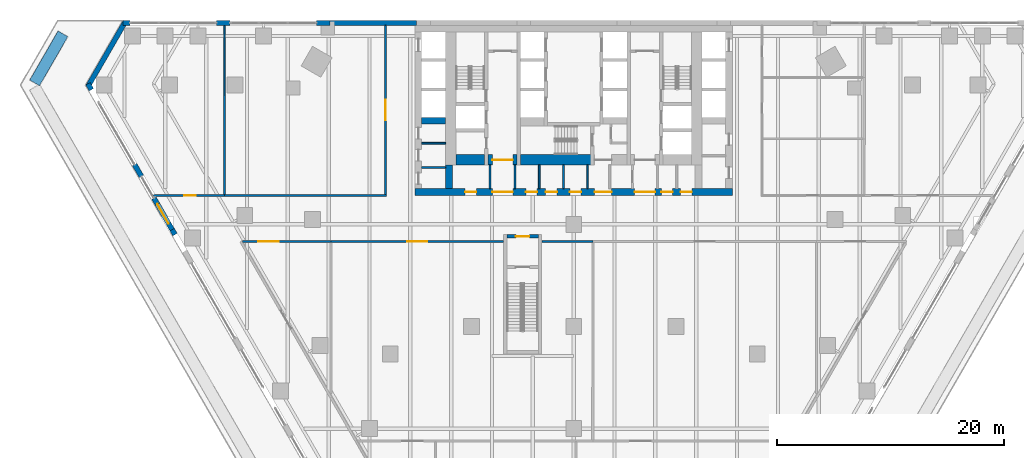
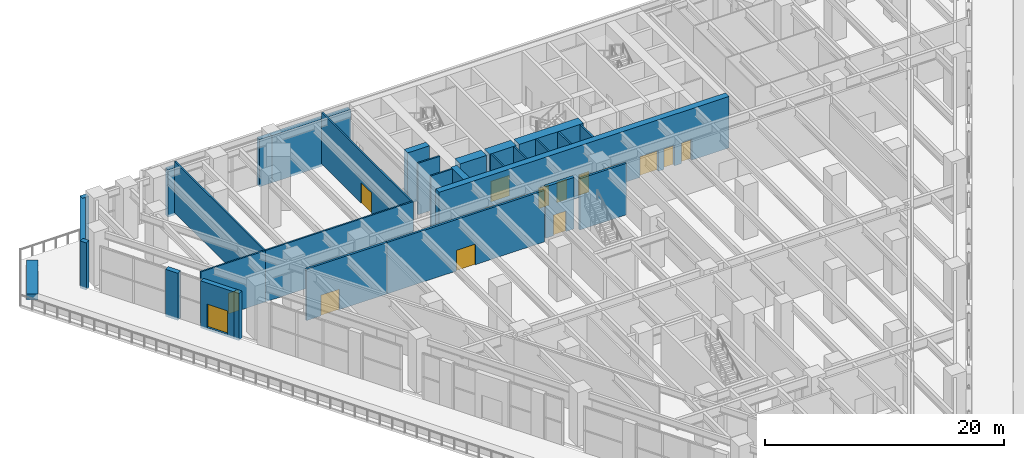
# One storey, part 22 of 30: 31 walls, 16 doors, 16 openings.
"""IFC4 building model written with IfcOpenShell, lengths in metres."""

import ifcopenshell
import ifcopenshell.guid

model = None  # the IFC model being written
_history = None  # IfcOwnerHistory: only IFC2X3 demands one
_inside = {}  # id of a spatial element -> (the spatial element, [elements in it])
_under = {}  # id of a project, library or spatial element -> (it, [spatial elements below it])
_declared = {}  # id of a project -> (the project, [libraries it declares])
_typed = {}  # id of a type object -> (the type object, [elements of that type])
_made_of = {}  # id of a material, layer set ... -> (it, [elements and type objects made of it])


def new_model(schema):
    """Start an empty IFC model of exactly this schema.

    Asked for "IFC4X3", IfcOpenShell would pick the latest addendum, in which some entities
    have other attributes; the version numbers below select the first issue.
    IFC2X3 requires an IfcOwnerHistory on every rooted entity: one is made here for all.
    """
    global model, _history
    if schema == "IFC4X3":
        model = ifcopenshell.file(schema_version=(4, 3, 0, 0))
    else:
        model = ifcopenshell.file(schema=schema)
    _inside.clear()
    _under.clear()
    _declared.clear()
    _typed.clear()
    _made_of.clear()
    _history = None
    if model.schema == "IFC2X3":
        org = make("IfcOrganization", Name="unknown")
        user = make(
            "IfcPersonAndOrganization",
            ThePerson=make("IfcPerson", FamilyName="unknown"),
            TheOrganization=org,
        )
        app = make(
            "IfcApplication",
            ApplicationDeveloper=org,
            Version="unknown",
            ApplicationFullName="unknown",
            ApplicationIdentifier="unknown",
        )
        _history = make(
            "IfcOwnerHistory",
            OwningUser=user,
            OwningApplication=app,
            ChangeAction="ADDED",
            CreationDate=0,
        )
    return model


def make(cls, **values):
    """One entity of the class cls with the attributes given. An attribute that is None is left unset."""
    return model.create_entity(
        cls, **{name: value for name, value in values.items() if value is not None}
    )


def rooted(cls, **values):
    """An entity with a GlobalId (a new one), such as an element, a storey or a relation."""
    return make(cls, GlobalId=ifcopenshell.guid.new(), OwnerHistory=_history, **values)


def si_unit(unit_type, name, prefix=None):
    """IfcSIUnit, for example si_unit("LENGTHUNIT", "METRE", prefix="MILLI")."""
    return make("IfcSIUnit", UnitType=unit_type, Prefix=prefix, Name=name)


def assignment(units):
    """IfcUnitAssignment: the units of a project."""
    return None if units is None else make("IfcUnitAssignment", Units=units)


def point(xyz):
    """IfcCartesianPoint."""
    return None if xyz is None else make("IfcCartesianPoint", Coordinates=xyz)


def direction(xyz):
    """IfcDirection."""
    return None if xyz is None else make("IfcDirection", DirectionRatios=xyz)


def frame(location, z_axis=None, x_axis=None):
    """IfcAxis2Placement3D, a coordinate frame: its origin and axes. An axis left out is left unset."""
    return make(
        "IfcAxis2Placement3D",
        Location=point(location),
        Axis=direction(z_axis),
        RefDirection=direction(x_axis),
    )


def frame_2d(location, x_axis=None):
    """IfcAxis2Placement2D, a coordinate frame in the plane: its origin and x axis."""
    return make(
        "IfcAxis2Placement2D", Location=point(location), RefDirection=direction(x_axis)
    )


def origin():
    """The frame at (0, 0, 0) with its axes left unset."""
    return frame((0.0, 0.0, 0.0))


def place(relative_to, where):
    """IfcLocalPlacement: puts the frame where relative to a parent placement (None: the world)."""
    return make(
        "IfcLocalPlacement", PlacementRelTo=relative_to, RelativePlacement=where
    )


def context(
    kind, dimensions, precision=None, world=None, true_north=None, identifier=None
):
    """IfcGeometricRepresentationContext, for example the 3D "Model" context."""
    return make(
        "IfcGeometricRepresentationContext",
        ContextIdentifier=identifier,
        ContextType=kind,
        CoordinateSpaceDimension=dimensions,
        Precision=precision,
        WorldCoordinateSystem=world,
        TrueNorth=true_north,
    )


def subcontext(parent, identifier, kind, view, scale=None):
    """IfcGeometricRepresentationSubContext, for example "Body" below "Model"."""
    return make(
        "IfcGeometricRepresentationSubContext",
        ContextIdentifier=identifier,
        ContextType=kind,
        ParentContext=parent,
        TargetScale=scale,
        TargetView=view,
    )


def project(units=None, contexts=None):
    """IfcProject with its units and contexts."""
    return rooted(
        "IfcProject",
        Name="project",
        RepresentationContexts=contexts,
        UnitsInContext=assignment(units),
    )


def spatial(cls, under=None, at=None, **own):
    """A site, building, storey or space (cls), placed at a placement, below another one or the project."""
    s = rooted(cls, ObjectPlacement=at, **own)
    if under is not None:
        _under.setdefault(under.id(), (under, []))[1].append(s)
    return s


def polyline(points):
    """IfcPolyline through the points."""
    return make("IfcPolyline", Points=[point(p) for p in points])


def profile(cls, at=None, kind="AREA", **sizes):
    """A parametric profile (cls). Its sizes go by their IFC names, for example OverallWidth=200.0."""
    return make(cls, ProfileType=kind, Position=at, **sizes)


def rectangle(**sizes):
    """IfcRectangleProfileDef."""
    return profile("IfcRectangleProfileDef", **sizes)


def outline(outer, holes=None, kind="AREA"):
    """IfcArbitraryClosedProfileDef: a profile drawn as a closed curve; with holes, ...WithVoids."""
    if holes is None:
        return make("IfcArbitraryClosedProfileDef", ProfileType=kind, OuterCurve=outer)
    return make(
        "IfcArbitraryProfileDefWithVoids",
        ProfileType=kind,
        OuterCurve=outer,
        InnerCurves=holes,
    )


def extrude(swept, where, along, depth):
    """IfcExtrudedAreaSolid: the profile swept, set in the frame where, extruded along a direction by depth."""
    return make(
        "IfcExtrudedAreaSolid",
        SweptArea=swept,
        Position=where,
        ExtrudedDirection=direction(along),
        Depth=depth,
    )


def shape(context_of_items, identifier, shape_type, items):
    """IfcShapeRepresentation: the items that make up one representation, for example the "Body"."""
    return make(
        "IfcShapeRepresentation",
        ContextOfItems=context_of_items,
        RepresentationIdentifier=identifier,
        RepresentationType=shape_type,
        Items=items,
    )


def material(Name=None, Category=None):
    """IfcMaterial."""
    return make("IfcMaterial", Name=Name, Category=Category)


def layer(
    of_material, thickness, ventilated=None, Name=None, Category=None, Priority=None
):
    """IfcMaterialLayer: one layer of a wall or slab, of a material (None: an air gap)."""
    return make(
        "IfcMaterialLayer",
        Material=of_material,
        LayerThickness=thickness,
        IsVentilated=ventilated,
        Name=Name,
        Category=Category,
        Priority=Priority,
    )


def layer_set(layers, Name=None):
    """IfcMaterialLayerSet."""
    return make("IfcMaterialLayerSet", MaterialLayers=layers, LayerSetName=Name)


def made_of(thing, what):
    """Note that an element or type object is made of a material, layer set ...; save() writes the relation."""
    if what is not None:
        _made_of.setdefault(what.id(), (what, []))[1].append(thing)
    return thing


def type_object(cls, material=None, **own):
    """A type object (cls), such as IfcWallType, which elements share."""
    return made_of(rooted(cls, **own), material)


def element(
    cls,
    number,
    at=None,
    inside=None,
    cuts=None,
    type_object=None,
    material=None,
    context=None,
    identifier="Body",
    shape_type=None,
    held_by="IfcProductDefinitionShape",
    body=None,
    shapes=None,
    **own,
):
    """One element of the class cls, such as IfcWall. Its Tag is "e" and its number.

    at: its placement. inside: the storey or other place that contains it. cuts: it is an
    opening in that element (IfcRelVoidsElement). A single representation is given by context,
    identifier, shape_type and body (its items); several are given by shapes. held_by: the class
    of the entity that holds the representations. save() writes the other relations.
    """
    e = rooted(cls, Tag="e%d" % number, ObjectPlacement=at, **own)
    if body is not None:
        shapes = [shape(context, identifier, shape_type, body)]
    if shapes is not None:
        e.Representation = make(held_by, Representations=shapes)
    if inside is not None:
        _inside.setdefault(inside.id(), (inside, []))[1].append(e)
    if cuts is not None:
        rooted(
            "IfcRelVoidsElement", RelatingBuildingElement=cuts, RelatedOpeningElement=e
        )
    if type_object is not None:
        _typed.setdefault(type_object.id(), (type_object, []))[1].append(e)
    return made_of(e, material)


def fill(opening, filler):
    """IfcRelFillsElement: the door or window that sits in an opening."""
    return rooted(
        "IfcRelFillsElement",
        RelatingOpeningElement=opening,
        RelatedBuildingElement=filler,
    )


def aggregate(whole, parts):
    """IfcRelAggregates: a whole, such as a stair, and the parts it consists of."""
    return rooted("IfcRelAggregates", RelatingObject=whole, RelatedObjects=parts)


def save(model, path):
    """Write the relations noted so far, then the file.

    IfcRelAggregates (storeys below a building ...), IfcRelContainedInSpatialStructure (elements
    in a storey), IfcRelDefinesByType, IfcRelAssociatesMaterial and IfcRelDeclares: one each for
    every whole, place, type object, material and project.
    """
    for whole, parts in _under.values():
        aggregate(whole, parts)
    for where, things in _inside.values():
        rooted(
            "IfcRelContainedInSpatialStructure",
            RelatedElements=things,
            RelatingStructure=where,
        )
    for kind, things in _typed.values():
        rooted("IfcRelDefinesByType", RelatedObjects=things, RelatingType=kind)
    for what, things in _made_of.values():
        rooted("IfcRelAssociatesMaterial", RelatedObjects=things, RelatingMaterial=what)
    for by, libraries in _declared.values():
        rooted("IfcRelDeclares", RelatingContext=by, RelatedDefinitions=libraries)
    model.write(path)


model = new_model("IFC4")

# Units and contexts
model_context = context("Model", 3, precision=1e-05, world=origin(), true_north=direction((0.0, 1.0)))
body_context = subcontext(model_context, "Body", "Model", "MODEL_VIEW")
ifc_project = project(units=[si_unit("LENGTHUNIT", "METRE"), si_unit("AREAUNIT", "SQUARE_METRE"), si_unit("VOLUMEUNIT", "CUBIC_METRE"), si_unit("PLANEANGLEUNIT", "RADIAN"), si_unit("MASSUNIT", "GRAM", prefix="KILO")], contexts=[model_context])

# Site, building, storey
site_placement = place(None, origin())
site = spatial("IfcSite", under=ifc_project, at=site_placement, CompositionType="ELEMENT")
building_placement = place(site_placement, origin())
building = spatial("IfcBuilding", under=site, at=building_placement, Name="Aloe Facet Convention Tower", CompositionType="ELEMENT")
storey_placement = place(building_placement, frame((0.0, 0.0, 19.5)))
storey = spatial("IfcBuildingStorey", under=building, at=storey_placement, Name="L03", CompositionType="ELEMENT", Elevation=19.5)

# Walls
ifc_material_1 = material(Name="Concrete blockwork partition", Category="masonry")
ifc_layer_1 = layer(ifc_material_1, 0.14990234375)
ifc_layer_set_1 = layer_set([ifc_layer_1], Name="CR-W-PART150")
wall_type_1 = type_object("IfcWallType", Name="CR-W-PART150", PredefinedType="PARTITIONING", material=ifc_layer_set_1)
for number, where, z_axis, x_axis, name in (
    (1, (66.60009765625, 124.16455078125, 0.0), (0.0, 0.0, 1.0), (1.0, 0.0, 0.0), "Core partition L03-007"),
    (2, (66.60009765625, 122.02490234375, 0.0), (0.0, 0.0, 1.0), (1.0, 0.0, 0.0), "Core partition L03-008"),
):
    element("IfcWall", number, at=place(storey_placement, frame(where, z_axis=z_axis, x_axis=x_axis)), inside=storey, type_object=wall_type_1, Name=name, PredefinedType="PARTITIONING", context=body_context, shape_type="SweptSolid", body=[
        extrude(rectangle(XDim=2.099853515625, YDim=0.14990234375, at=frame_2d((1.0498046875, 0.0))), origin(), (0.0, 0.0, 1.0), 5.25),
    ])
for number, where, z_axis, x_axis, name in (
    (3, (72.625, 122.25, 0.0), (0.0, 0.0, 1.0), (0.0, -1.0, 0.0), "Core partition L03-017"),
    (4, (74.824951171875, 122.25, 0.0), (0.0, 0.0, 1.0), (0.0, -1.0, 0.0), "Core partition L03-018"),
    (5, (76.958251953125, 122.25, 0.0), (0.0, 0.0, 1.0), (0.0, -1.0, 0.0), "Core partition L03-024"),
    (6, (79.091552734375, 122.25, 0.0), (0.0, 0.0, 1.0), (0.0, -1.0, 0.0), "Core partition L03-027"),
    (7, (81.22509765625, 122.25, 0.0), (0.0, 0.0, 1.0), (0.0, -1.0, 0.0), "Core partition L03-028"),
):
    element("IfcWall", number, at=place(storey_placement, frame(where, z_axis=z_axis, x_axis=x_axis)), inside=storey, type_object=wall_type_1, Name=name, PredefinedType="PARTITIONING", context=body_context, shape_type="SweptSolid", body=[
        extrude(rectangle(XDim=2.10009765625, YDim=0.14990234375, at=frame_2d((1.050048828125, 0.0))), origin(), (0.0, 0.0, 1.0), 5.25),
    ])

# Wall, opening, door
ifc_material_2 = material(Name="Concrete C50/60", Category="concrete")
ifc_layer_2 = layer(ifc_material_2, 0.300048828125)
ifc_layer_set_2 = layer_set([ifc_layer_2], Name="CR-W-RC300-C5060")
wall_type_2 = type_object("IfcWallType", Name="CR-W-RC300-C5060", PredefinedType="SOLIDWALL", material=ifc_layer_set_2)
wall_1_placement = place(storey_placement, frame((74.125, 115.949951171875, 0.0), z_axis=(0.0, 0.0, 1.0), x_axis=(1.0, 0.0, 0.0)))
wall_1 = element("IfcWall", 8, at=wall_1_placement, inside=storey, type_object=wall_type_2, Name="Exit stair wall L03-10", PredefinedType="SOLIDWALL", context=body_context, shape_type="SweptSolid", body=[
    extrude(rectangle(XDim=2.75, YDim=0.300048828125, at=frame_2d((1.375, 0.0))), origin(), (0.0, 0.0, 1.0), 5.25),
])
opening_1_placement = place(wall_1_placement, frame((0.77490234375, 0.0, 0.0)))
opening_1 = element("IfcOpeningElement", 9, at=opening_1_placement, cuts=wall_1, Name="Opening L03-ST5-02", PredefinedType="OPENING", context=body_context, shape_type="SweptSolid", body=[
    extrude(rectangle(XDim=1.199951171875, YDim=2.10009765625, at=frame_2d((0.60009765625, 1.050048828125))), frame((0.0, 0.16015625, 0.0), z_axis=(0.0, -1.0, 0.0), x_axis=(1.0, 0.0, 0.0)), (0.0, 0.0, 1.0), 0.320068359375),
])
ifc_material_3 = material(Name="Steel fire-resisting door set FD60", Category="steel")
door_type_1 = type_object("IfcDoorType", Name="CR-D-EXIT-1200-FD60-SRIGHT", OperationType="SINGLE_SWING_RIGHT", PredefinedType="DOOR", material=ifc_material_3)
door_1_placement = place(opening_1_placement, origin())
door_1 = element("IfcDoor", 10, at=door_1_placement, inside=storey, type_object=door_type_1, Name="Stair lobby door L03-ST5-02", OperationType="SINGLE_SWING_RIGHT", OverallHeight=2.10009765625, OverallWidth=1.199951171875, PredefinedType="DOOR", context=body_context, shape_type="SweptSolid", body=[
    extrude(rectangle(XDim=1.199951171875, YDim=2.10009765625, at=frame_2d((0.60009765625, 1.050048828125))), frame((0.0, 0.02490234375, 0.0), z_axis=(0.0, -1.0, 0.0), x_axis=(1.0, 0.0, 0.0)), (0.0, 0.0, 1.0), 0.050048828125),
])
fill(opening_1, door_1)

# Wall, openings, doors
ifc_material_4 = material(Name="Concrete C80/95", Category="concrete")
ifc_layer_3 = layer(ifc_material_4, 0.60009765625)
ifc_layer_set_3 = layer_set([ifc_layer_3], Name="CR-W-RC600-C8095")
wall_type_3 = type_object("IfcWallType", Name="CR-W-RC600-C8095", PredefinedType="SOLIDWALL", material=ifc_layer_set_3)
wall_2_placement = place(storey_placement, frame((66.0, 119.85009765625, 0.0), z_axis=(0.0, 0.0, 1.0), x_axis=(1.0, 0.0, 0.0)))
wall_2 = element("IfcWall", 11, at=wall_2_placement, inside=storey, type_object=wall_type_3, Name="Core wall L03-003", PredefinedType="SOLIDWALL", context=body_context, shape_type="SweptSolid", body=[
    extrude(rectangle(XDim=28.0, YDim=0.60009765625, at=frame_2d((14.0, 0.0))), origin(), (0.0, 0.0, 1.0), 5.25),
])
opening_2_placement = place(wall_2_placement, frame((6.824951171875, 0.0, 0.0)))
opening_2 = element("IfcOpeningElement", 12, at=opening_2_placement, cuts=wall_2, Name="Opening L03-CD16", PredefinedType="OPENING", context=body_context, shape_type="SweptSolid", body=[
    extrude(rectangle(XDim=1.800048828125, YDim=2.10009765625, at=frame_2d((0.89990234375, 1.050048828125))), frame((0.0, 0.31005859375, 0.0), z_axis=(0.0, -1.0, 0.0), x_axis=(1.0, 0.0, 0.0)), (0.0, 0.0, 1.0), 0.6201171875),
])
opening_3_placement = place(wall_2_placement, frame((15.85009765625, 0.0, 0.0)))
opening_3 = element("IfcOpeningElement", 13, at=opening_3_placement, cuts=wall_2, Name="Opening L03-CD17", PredefinedType="OPENING", context=body_context, shape_type="SweptSolid", body=[
    extrude(rectangle(XDim=1.5, YDim=2.10009765625, at=frame_2d((0.75, 1.050048828125))), frame((0.0, 0.31005859375, 0.0), z_axis=(0.0, -1.0, 0.0), x_axis=(1.0, 0.0, 0.0)), (0.0, 0.0, 1.0), 0.6201171875),
])
opening_4_placement = place(wall_2_placement, frame((19.375, 0.0, 0.0)))
opening_4 = element("IfcOpeningElement", 14, at=opening_4_placement, cuts=wall_2, Name="Opening L03-CD18", PredefinedType="OPENING", context=body_context, shape_type="SweptSolid", body=[
    extrude(rectangle(XDim=1.800048828125, YDim=2.10009765625, at=frame_2d((0.89990234375, 1.050048828125))), frame((0.0, 0.31005859375, 0.0), z_axis=(0.0, -1.0, 0.0), x_axis=(1.0, 0.0, 0.0)), (0.0, 0.0, 1.0), 0.6201171875),
])
opening_5_placement = place(wall_2_placement, frame((4.425048828125, 0.0, 0.0)))
opening_5 = element("IfcOpeningElement", 15, at=opening_5_placement, cuts=wall_2, Name="Opening L03-CD23", PredefinedType="OPENING", context=body_context, shape_type="SweptSolid", body=[
    extrude(rectangle(XDim=1.0, YDim=2.10009765625, at=frame_2d((0.5, 1.050048828125))), frame((0.0, 0.31005859375, 0.0), z_axis=(0.0, -1.0, 0.0), x_axis=(1.0, 0.0, 0.0)), (0.0, 0.0, 1.0), 0.6201171875),
])
opening_6_placement = place(wall_2_placement, frame((9.783203125, 0.0, 0.0)))
opening_6 = element("IfcOpeningElement", 16, at=opening_6_placement, cuts=wall_2, Name="Opening L03-CD24", PredefinedType="OPENING", context=body_context, shape_type="SweptSolid", body=[
    extrude(rectangle(XDim=1.0, YDim=2.10009765625, at=frame_2d((0.5, 1.050048828125))), frame((0.0, 0.31005859375, 0.0), z_axis=(0.0, -1.0, 0.0), x_axis=(1.0, 0.0, 0.0)), (0.0, 0.0, 1.0), 0.6201171875),
])
opening_7_placement = place(wall_2_placement, frame((11.52490234375, 0.0, 0.0)))
opening_7 = element("IfcOpeningElement", 17, at=opening_7_placement, cuts=wall_2, Name="Opening L03-CD25", PredefinedType="OPENING", context=body_context, shape_type="SweptSolid", body=[
    extrude(rectangle(XDim=1.0, YDim=2.10009765625, at=frame_2d((0.5, 1.050048828125))), frame((0.0, 0.31005859375, 0.0), z_axis=(0.0, -1.0, 0.0), x_axis=(1.0, 0.0, 0.0)), (0.0, 0.0, 1.0), 0.6201171875),
])
opening_8_placement = place(wall_2_placement, frame((13.658203125, 0.0, 0.0)))
opening_8 = element("IfcOpeningElement", 18, at=opening_8_placement, cuts=wall_2, Name="Opening L03-CD26", PredefinedType="OPENING", context=body_context, shape_type="SweptSolid", body=[
    extrude(rectangle(XDim=1.0, YDim=2.10009765625, at=frame_2d((0.5, 1.050048828125))), frame((0.0, 0.31005859375, 0.0), z_axis=(0.0, -1.0, 0.0), x_axis=(1.0, 0.0, 0.0)), (0.0, 0.0, 1.0), 0.6201171875),
])
opening_9_placement = place(wall_2_placement, frame((21.72509765625, 0.0, 0.0)))
opening_9 = element("IfcOpeningElement", 19, at=opening_9_placement, cuts=wall_2, Name="Opening L03-CD28", PredefinedType="OPENING", context=body_context, shape_type="SweptSolid", body=[
    extrude(rectangle(XDim=1.0, YDim=2.10009765625, at=frame_2d((0.5, 1.050048828125))), frame((0.0, 0.31005859375, 0.0), z_axis=(0.0, -1.0, 0.0), x_axis=(1.0, 0.0, 0.0)), (0.0, 0.0, 1.0), 0.6201171875),
])
opening_10_placement = place(wall_2_placement, frame((23.425048828125, 0.0, 0.0)))
opening_10 = element("IfcOpeningElement", 20, at=opening_10_placement, cuts=wall_2, Name="Opening L03-CD29", PredefinedType="OPENING", context=body_context, shape_type="SweptSolid", body=[
    extrude(rectangle(XDim=1.0, YDim=2.10009765625, at=frame_2d((0.5, 1.050048828125))), frame((0.0, 0.31005859375, 0.0), z_axis=(0.0, -1.0, 0.0), x_axis=(1.0, 0.0, 0.0)), (0.0, 0.0, 1.0), 0.6201171875),
])
ifc_material_5 = material(Name="Steel fire-resisting door set FD60", Category="steel")
door_type_2 = type_object("IfcDoorType", Name="CR-D-EXIT-1500-FD60-DD", OperationType="DOUBLE_DOOR_DOUBLE_SWING", PredefinedType="DOOR", material=ifc_material_5)
door_2_placement = place(opening_3_placement, origin())
door_2 = element("IfcDoor", 21, at=door_2_placement, inside=storey, type_object=door_type_2, Name="Core door L03-CD17", OperationType="DOUBLE_DOOR_DOUBLE_SWING", OverallHeight=2.10009765625, OverallWidth=1.5, PredefinedType="DOOR", context=body_context, shape_type="SweptSolid", body=[
    extrude(rectangle(XDim=1.5, YDim=2.10009765625, at=frame_2d((0.75, 1.050048828125))), frame((0.0, 0.02490234375, 0.0), z_axis=(0.0, -1.0, 0.0), x_axis=(1.0, 0.0, 0.0)), (0.0, 0.0, 1.0), 0.050048828125),
])
fill(opening_3, door_2)
ifc_material_6 = material(Name="Steel fire-resisting door set FD60", Category="steel")
door_type_3 = type_object("IfcDoorType", Name="CR-D-EXIT-1800-FD60-DD", OperationType="DOUBLE_DOOR_DOUBLE_SWING", PredefinedType="DOOR", material=ifc_material_6)
door_3_placement = place(opening_2_placement, origin())
door_3 = element("IfcDoor", 22, at=door_3_placement, inside=storey, type_object=door_type_3, Name="Core door L03-CD16", OperationType="DOUBLE_DOOR_DOUBLE_SWING", OverallHeight=2.10009765625, OverallWidth=1.800048828125, PredefinedType="DOOR", context=body_context, shape_type="SweptSolid", body=[
    extrude(rectangle(XDim=1.800048828125, YDim=2.10009765625, at=frame_2d((0.89990234375, 1.050048828125))), frame((0.0, 0.02490234375, 0.0), z_axis=(0.0, -1.0, 0.0), x_axis=(1.0, 0.0, 0.0)), (0.0, 0.0, 1.0), 0.050048828125),
])
fill(opening_2, door_3)
door_4_placement = place(opening_4_placement, origin())
door_4 = element("IfcDoor", 23, at=door_4_placement, inside=storey, type_object=door_type_3, Name="Core door L03-CD18", OperationType="DOUBLE_DOOR_DOUBLE_SWING", OverallHeight=2.10009765625, OverallWidth=1.800048828125, PredefinedType="DOOR", context=body_context, shape_type="SweptSolid", body=[
    extrude(rectangle(XDim=1.800048828125, YDim=2.10009765625, at=frame_2d((0.89990234375, 1.050048828125))), frame((0.0, 0.02490234375, 0.0), z_axis=(0.0, -1.0, 0.0), x_axis=(1.0, 0.0, 0.0)), (0.0, 0.0, 1.0), 0.050048828125),
])
fill(opening_4, door_4)
ifc_material_7 = material(Name="Steel fire-resisting door set FD60", Category="steel")
door_type_4 = type_object("IfcDoorType", Name="CR-D-ROOM-1000-FD60-SRIGHT", OperationType="SINGLE_SWING_RIGHT", PredefinedType="DOOR", material=ifc_material_7)
door_5_placement = place(opening_5_placement, origin())
door_5 = element("IfcDoor", 24, at=door_5_placement, inside=storey, type_object=door_type_4, Name="Core door L03-CD23", OperationType="SINGLE_SWING_RIGHT", OverallHeight=2.10009765625, OverallWidth=1.0, PredefinedType="DOOR", context=body_context, shape_type="SweptSolid", body=[
    extrude(rectangle(XDim=1.0, YDim=2.10009765625, at=frame_2d((0.5, 1.050048828125))), frame((0.0, 0.02490234375, 0.0), z_axis=(0.0, -1.0, 0.0), x_axis=(1.0, 0.0, 0.0)), (0.0, 0.0, 1.0), 0.050048828125),
])
fill(opening_5, door_5)
door_6_placement = place(opening_6_placement, origin())
door_6 = element("IfcDoor", 25, at=door_6_placement, inside=storey, type_object=door_type_4, Name="Core door L03-CD24", OperationType="SINGLE_SWING_RIGHT", OverallHeight=2.10009765625, OverallWidth=1.0, PredefinedType="DOOR", context=body_context, shape_type="SweptSolid", body=[
    extrude(rectangle(XDim=1.0, YDim=2.10009765625, at=frame_2d((0.5, 1.050048828125))), frame((0.0, 0.02490234375, 0.0), z_axis=(0.0, -1.0, 0.0), x_axis=(1.0, 0.0, 0.0)), (0.0, 0.0, 1.0), 0.050048828125),
])
fill(opening_6, door_6)
door_7_placement = place(opening_7_placement, origin())
door_7 = element("IfcDoor", 26, at=door_7_placement, inside=storey, type_object=door_type_4, Name="Core door L03-CD25", OperationType="SINGLE_SWING_RIGHT", OverallHeight=2.10009765625, OverallWidth=1.0, PredefinedType="DOOR", context=body_context, shape_type="SweptSolid", body=[
    extrude(rectangle(XDim=1.0, YDim=2.10009765625, at=frame_2d((0.5, 1.050048828125))), frame((0.0, 0.02490234375, 0.0), z_axis=(0.0, -1.0, 0.0), x_axis=(1.0, 0.0, 0.0)), (0.0, 0.0, 1.0), 0.050048828125),
])
fill(opening_7, door_7)
door_8_placement = place(opening_8_placement, origin())
door_8 = element("IfcDoor", 27, at=door_8_placement, inside=storey, type_object=door_type_4, Name="Core door L03-CD26", OperationType="SINGLE_SWING_RIGHT", OverallHeight=2.10009765625, OverallWidth=1.0, PredefinedType="DOOR", context=body_context, shape_type="SweptSolid", body=[
    extrude(rectangle(XDim=1.0, YDim=2.10009765625, at=frame_2d((0.5, 1.050048828125))), frame((0.0, 0.02490234375, 0.0), z_axis=(0.0, -1.0, 0.0), x_axis=(1.0, 0.0, 0.0)), (0.0, 0.0, 1.0), 0.050048828125),
])
fill(opening_8, door_8)
door_9_placement = place(opening_9_placement, origin())
door_9 = element("IfcDoor", 28, at=door_9_placement, inside=storey, type_object=door_type_4, Name="Core door L03-CD28", OperationType="SINGLE_SWING_RIGHT", OverallHeight=2.10009765625, OverallWidth=1.0, PredefinedType="DOOR", context=body_context, shape_type="SweptSolid", body=[
    extrude(rectangle(XDim=1.0, YDim=2.10009765625, at=frame_2d((0.5, 1.050048828125))), frame((0.0, 0.02490234375, 0.0), z_axis=(0.0, -1.0, 0.0), x_axis=(1.0, 0.0, 0.0)), (0.0, 0.0, 1.0), 0.050048828125),
])
fill(opening_9, door_9)
door_10_placement = place(opening_10_placement, origin())
door_10 = element("IfcDoor", 29, at=door_10_placement, inside=storey, type_object=door_type_4, Name="Core door L03-CD29", OperationType="SINGLE_SWING_RIGHT", OverallHeight=2.10009765625, OverallWidth=1.0, PredefinedType="DOOR", context=body_context, shape_type="SweptSolid", body=[
    extrude(rectangle(XDim=1.0, YDim=2.10009765625, at=frame_2d((0.5, 1.050048828125))), frame((0.0, 0.02490234375, 0.0), z_axis=(0.0, -1.0, 0.0), x_axis=(1.0, 0.0, 0.0)), (0.0, 0.0, 1.0), 0.050048828125),
])
fill(opening_10, door_10)

# Walls
wall_3_placement = place(storey_placement, frame((66.60009765625, 126.14990234375, 0.0), z_axis=(0.0, 0.0, 1.0), x_axis=(1.0, 0.0, 0.0)))
element("IfcWall", 30, at=wall_3_placement, inside=storey, type_object=wall_type_3, Name="Core wall L03-006", PredefinedType="SOLIDWALL", context=body_context, shape_type="SweptSolid", body=[
    extrude(rectangle(XDim=2.099853515625, YDim=0.60009765625, at=frame_2d((1.0498046875, 0.0))), origin(), (0.0, 0.0, 1.0), 5.25),
])
wall_4_placement = place(storey_placement, frame((69.0, 122.25, 0.0), z_axis=(0.0, 0.0, 1.0), x_axis=(0.0, -1.0, 0.0)))
element("IfcWall", 31, at=wall_4_placement, inside=storey, type_object=wall_type_3, Name="Core wall L03-010", PredefinedType="SOLIDWALL", context=body_context, shape_type="SweptSolid", body=[
    extrude(rectangle(XDim=2.10009765625, YDim=0.60009765625, at=frame_2d((1.050048828125, 0.0))), origin(), (0.0, 0.0, 1.0), 5.25),
])
ifc_material_8 = material(Name="Concrete C80/95", Category="concrete")
ifc_layer_4 = layer(ifc_material_8, 0.89990234375)
ifc_layer_set_4 = layer_set([ifc_layer_4], Name="CR-W-RC900-C8095")
wall_type_4 = type_object("IfcWallType", Name="CR-W-RC900-C8095", PredefinedType="SOLIDWALL", material=ifc_layer_set_4)
wall_5_placement = place(storey_placement, frame((69.60009765625, 122.699951171875, 0.0), z_axis=(0.0, 0.0, 1.0), x_axis=(1.0, 0.0, 0.0)))
element("IfcWall", 32, at=wall_5_placement, inside=storey, type_object=wall_type_4, Name="Core wall L03-013", PredefinedType="SOLIDWALL", context=body_context, shape_type="SweptSolid", body=[
    extrude(rectangle(XDim=2.5498046875, YDim=0.89990234375, at=frame_2d((1.27490234375, 0.0))), origin(), (0.0, 0.0, 1.0), 5.25),
])

# Wall, opening, door
wall_6_placement = place(storey_placement, frame((72.449951171875, 122.699951171875, 0.0), z_axis=(0.0, 0.0, 1.0), x_axis=(1.0, 0.0, 0.0)))
wall_6 = element("IfcWall", 33, at=wall_6_placement, inside=storey, type_object=wall_type_4, Name="Core wall L03-016", PredefinedType="SOLIDWALL", context=body_context, shape_type="SweptSolid", body=[
    extrude(rectangle(XDim=2.550048828125, YDim=0.89990234375, at=frame_2d((1.27490234375, 0.0))), origin(), (0.0, 0.0, 1.0), 5.25),
])
opening_11_placement = place(wall_6_placement, frame((0.375, 0.0, 0.0)))
opening_11 = element("IfcOpeningElement", 34, at=opening_11_placement, cuts=wall_6, Name="Opening L03-CD14", PredefinedType="OPENING", context=body_context, shape_type="SweptSolid", body=[
    extrude(rectangle(XDim=1.800048828125, YDim=2.10009765625, at=frame_2d((0.89990234375, 1.050048828125))), frame((0.0, 0.4599609375, 0.0), z_axis=(0.0, -1.0, 0.0), x_axis=(1.0, 0.0, 0.0)), (0.0, 0.0, 1.0), 0.919921875),
])
ifc_material_9 = material(Name="Steel fire-resisting door set FD120", Category="steel")
door_type_5 = type_object("IfcDoorType", Name="CR-D-EXIT-1800-FD120-DD", OperationType="DOUBLE_DOOR_DOUBLE_SWING", PredefinedType="DOOR", material=ifc_material_9)
door_11_placement = place(opening_11_placement, origin())
door_11 = element("IfcDoor", 35, at=door_11_placement, inside=storey, type_object=door_type_5, Name="Core door L03-CD14", OperationType="DOUBLE_DOOR_DOUBLE_SWING", OverallHeight=2.10009765625, OverallWidth=1.800048828125, PredefinedType="DOOR", context=body_context, shape_type="SweptSolid", body=[
    extrude(rectangle(XDim=1.800048828125, YDim=2.10009765625, at=frame_2d((0.89990234375, 1.050048828125))), frame((0.0, 0.02490234375, 0.0), z_axis=(0.0, -1.0, 0.0), x_axis=(1.0, 0.0, 0.0)), (0.0, 0.0, 1.0), 0.050048828125),
])
fill(opening_11, door_11)

# Walls
wall_7_placement = place(storey_placement, frame((75.300048828125, 122.699951171875, 0.0), z_axis=(0.0, 0.0, 1.0), x_axis=(1.0, 0.0, 0.0)))
element("IfcWall", 36, at=wall_7_placement, inside=storey, type_object=wall_type_4, Name="Core wall L03-023", PredefinedType="SOLIDWALL", context=body_context, shape_type="SweptSolid", body=[
    extrude(rectangle(XDim=6.199951171875, YDim=0.89990234375, at=frame_2d((3.10009765625, 0.0))), origin(), (0.0, 0.0, 1.0), 5.25),
])
ifc_material_10 = material(Name="Precast concrete C40/50", Category="concrete")
ifc_layer_5 = layer(ifc_material_10, 1.0)
ifc_layer_set_5 = layer_set([ifc_layer_5], Name="EV-PLANTER-BED")
wall_type_5 = type_object("IfcWallType", Name="EV-PLANTER-BED", PredefinedType="STANDARD", material=ifc_layer_set_5)
wall_8_placement = place(storey_placement, frame((32.471923828125, 129.47705078125, 0.0), z_axis=(0.0, 0.0, 1.0), x_axis=(0.500004234368, 0.866022959057, 0.0)))
element("IfcWall", 37, at=wall_8_placement, inside=storey, type_object=wall_type_5, Name="PLANTER PT-L03-1-5", PredefinedType="STANDARD", context=body_context, shape_type="SweptSolid", body=[
    extrude(rectangle(XDim=5.0, YDim=1.0, at=frame_2d((2.5, 0.0))), origin(), (0.0, 0.0, 1.0), 0.60009765625),
])
ifc_material_11 = material(Name="Precast concrete C40/50", Category="concrete")
ifc_layer_6 = layer(ifc_material_11, 0.449951171875)
ifc_layer_set_6 = layer_set([ifc_layer_6], Name="EV-WALL-PIER")
wall_type_6 = type_object("IfcWallType", Name="EV-WALL-PIER", PredefinedType="SOLIDWALL", material=ifc_layer_set_6)
wall_9_placement = place(storey_placement, frame((0.0, 0.0, -0.25)))
element("IfcWall", 38, at=wall_9_placement, inside=storey, type_object=wall_type_6, Name="EP-L03-A", PredefinedType="SOLIDWALL", context=body_context, shape_type="SweptSolid", body=[
    extrude(outline(polyline([(40.279541015625, 135.0), (40.279541015625, 134.550048828125), (40.539306640625, 134.550048828125), (37.4990234375, 129.2841796875), (37.369140625, 129.50927734375), (36.9794921875, 129.2841796875), (40.279541015625, 135.0)])), origin(), (0.0, 0.0, 1.0), 4.8125),
])
ifc_material_12 = material(Name="Precast concrete C40/50", Category="concrete")
ifc_layer_7 = layer(ifc_material_12, 0.449951171875)
ifc_layer_set_7 = layer_set([ifc_layer_7], Name="EV-WALL-STONE")
wall_type_7 = type_object("IfcWallType", Name="EV-WALL-STONE", PredefinedType="SOLIDWALL", material=ifc_layer_set_7)
wall_10_placement = place(storey_placement, frame((66.159912109375, 134.77490234375, -0.25), z_axis=(0.0, 0.0, 1.0), x_axis=(-1.0, 0.0, 0.0)))
element("IfcWall", 39, at=wall_10_placement, inside=storey, type_object=wall_type_7, Name="PW-L03-N14", PredefinedType="SOLIDWALL", context=body_context, shape_type="SweptSolid", body=[
    extrude(rectangle(XDim=7.626953125, YDim=0.449951171875, at=frame_2d((3.8134765625, 0.0))), origin(), (0.0, 0.0, 1.0), 4.8125),
])
for number, where, z_axis, x_axis, name in (
    (40, (58.532958984375, 134.77490234375, -0.25), (0.0, 0.0, 1.0), (-1.0, 0.0, 0.0), "PW-L03-N15"),
    (41, (49.706298828125, 134.77490234375, -0.25), (0.0, 0.0, 1.0), (-1.0, 0.0, 0.0), "PW-L03-N17"),
):
    element("IfcWall", number, at=place(storey_placement, frame(where, z_axis=z_axis, x_axis=x_axis)), inside=storey, type_object=wall_type_7, Name=name, PredefinedType="SOLIDWALL", context=body_context, shape_type="SweptSolid", body=[
        extrude(rectangle(XDim=1.199951171875, YDim=0.449951171875, at=frame_2d((0.60009765625, 0.0))), origin(), (0.0, 0.0, 1.0), 4.8125),
    ])
for number, where, z_axis, x_axis, name in (
    (42, (40.87939453125, 134.77490234375, -0.25), (0.0, 0.0, 1.0), (-1.0, 0.0, 0.0), "PW-L03-N19"),
    (43, (37.17431640625, 129.396728515625, -0.25), (0.0, 0.0, 1.0), (0.50012165622, -0.865955154139, 0.0), "PW-L03-W01"),
):
    element("IfcWall", number, at=place(storey_placement, frame(where, z_axis=z_axis, x_axis=x_axis)), inside=storey, type_object=wall_type_7, Name=name, PredefinedType="SOLIDWALL", context=body_context, shape_type="SweptSolid", body=[
        extrude(rectangle(XDim=0.599853515625, YDim=0.449951171875, at=frame_2d((0.2998046875, 0.0))), origin(), (0.0, 0.0, 1.0), 4.8125),
    ])
wall_11_placement = place(storey_placement, frame((41.287841796875, 122.272216796875, -0.25), z_axis=(0.0, 0.0, 1.0), x_axis=(0.499880961361, -0.866094119867, 0.0)))
element("IfcWall", 44, at=wall_11_placement, inside=storey, type_object=wall_type_7, Name="PW-L03-W03", PredefinedType="SOLIDWALL", context=body_context, shape_type="SweptSolid", body=[
    extrude(rectangle(XDim=1.199951171875, YDim=0.449951171875, at=frame_2d((0.60009765625, 0.0))), origin(), (0.0, 0.0, 1.0), 4.8125),
])
wall_12_placement = place(storey_placement, frame((44.594482421875, 116.544677734375, -0.25), z_axis=(0.0, 0.0, 1.0), x_axis=(0.500013496215, -0.866017611601, 0.0)))
element("IfcWall", 45, at=wall_12_placement, inside=storey, type_object=wall_type_7, Name="CW-L03-W04B-S1", PredefinedType="SOLIDWALL", context=body_context, shape_type="SweptSolid", body=[
    extrude(rectangle(XDim=0.50830078125, YDim=0.449951171875, at=frame_2d((0.254150390625, 0.0))), origin(), (0.0, 0.0, 1.0), 4.8125),
])

# Wall, opening, door
wall_13_placement = place(storey_placement, frame((42.994384765625, 119.316162109375, -0.25), z_axis=(0.0, 0.0, 1.0), x_axis=(0.499995408039, -0.866028054938, 0.0)))
wall_13 = element("IfcWall", 46, at=wall_13_placement, inside=storey, type_object=wall_type_7, Name="PW-L03-W04", PredefinedType="SOLIDWALL", context=body_context, shape_type="SweptSolid", body=[
    extrude(rectangle(XDim=3.2001953125, YDim=0.449951171875, at=frame_2d((1.60009765625, 0.0))), origin(), (0.0, 0.0, 1.0), 4.8125),
])
opening_12_placement = place(wall_13_placement, frame((0.60009765625, 0.0, 0.25)))
opening_12 = element("IfcOpeningElement", 47, at=opening_12_placement, cuts=wall_13, Name="Opening D-L03-W04", PredefinedType="OPENING", context=body_context, shape_type="SweptSolid", body=[
    extrude(rectangle(XDim=2.0, YDim=2.39990234375, at=frame_2d((1.0, 1.199951171875))), frame((0.0, 0.23486328125, 0.0), z_axis=(0.0, -1.0, 0.0), x_axis=(1.0, 0.0, 0.0)), (0.0, 0.0, 1.0), 0.469970703125),
])
ifc_material_13 = material(Name="Aluminium frame, clear double glazing", Category="aluminium")
door_type_6 = type_object("IfcDoorType", Name="EV-DOOR-HALL", OperationType="DOUBLE_DOOR_SINGLE_SWING", PredefinedType="DOOR", material=ifc_material_13)
door_12_placement = place(opening_12_placement, origin())
door_12 = element("IfcDoor", 48, at=door_12_placement, inside=storey, type_object=door_type_6, Name="D-L03-W04", OperationType="DOUBLE_DOOR_SINGLE_SWING", OverallHeight=2.39990234375, OverallWidth=2.0, PredefinedType="DOOR", context=body_context, shape_type="SweptSolid", body=[
    extrude(rectangle(XDim=2.0, YDim=2.39990234375, at=frame_2d((1.0, 1.199951171875))), frame((0.0, 0.02490234375, 0.0), z_axis=(0.0, -1.0, 0.0), x_axis=(1.0, 0.0, 0.0)), (0.0, 0.0, 1.0), 0.050048828125),
])
fill(opening_12, door_12)

ifc_material_14 = material(Name="Masonry blockwork wall, plastered", Category="masonry")
ifc_layer_8 = layer(ifc_material_14, 0.199951171875)
ifc_layer_set_8 = layer_set([ifc_layer_8], Name="IN-POD-W-ASSY")
wall_type_8 = type_object("IfcWallType", Name="IN-POD-W-ASSY", PredefinedType="PARTITIONING", material=ifc_layer_set_8)
wall_14_placement = place(storey_placement, frame((50.8134765625, 115.5, 0.0), z_axis=(0.0, 0.0, 1.0), x_axis=(1.0, 0.0, 0.0)))
wall_14 = element("IfcWall", 49, at=wall_14_placement, inside=storey, type_object=wall_type_8, Name="Partition L03-W025", PredefinedType="PARTITIONING", context=body_context, shape_type="SweptSolid", body=[
    extrude(rectangle(XDim=7.78662109375, YDim=0.199951171875, at=frame_2d((3.893310546875, 0.0))), origin(), (0.0, 0.0, 1.0), 5.25),
])
opening_13_placement = place(wall_14_placement, frame((1.377197265625, 0.0, 0.0)))
opening_13 = element("IfcOpeningElement", 50, at=opening_13_placement, cuts=wall_14, Name="Opening L03-009", PredefinedType="OPENING", context=body_context, shape_type="SweptSolid", body=[
    extrude(rectangle(XDim=1.800048828125, YDim=2.10009765625, at=frame_2d((0.89990234375, 1.050048828125))), frame((0.0, 0.10986328125, 0.0), z_axis=(0.0, -1.0, 0.0), x_axis=(1.0, 0.0, 0.0)), (0.0, 0.0, 1.0), 0.219970703125),
])
ifc_material_15 = material(Name="Hardwood flush door pair", Category="wood")
door_type_7 = type_object("IfcDoorType", Name="IN-POD-D-PAIR", OperationType="DOUBLE_DOOR_SINGLE_SWING", PredefinedType="DOOR", material=ifc_material_15)
door_13_placement = place(opening_13_placement, origin())
door_13 = element("IfcDoor", 51, at=door_13_placement, inside=storey, type_object=door_type_7, Name="Door L03-009", OperationType="SINGLE_SWING_LEFT", OverallHeight=2.10009765625, OverallWidth=1.800048828125, PredefinedType="DOOR", context=body_context, shape_type="SweptSolid", body=[
    extrude(rectangle(XDim=1.800048828125, YDim=2.10009765625, at=frame_2d((0.89990234375, 1.050048828125))), frame((0.0, 0.02490234375, 0.0), z_axis=(0.0, -1.0, 0.0), x_axis=(1.0, 0.0, 0.0)), (0.0, 0.0, 1.0), 0.050048828125),
])
fill(opening_13, door_13)

wall_15_placement = place(storey_placement, frame((58.60009765625, 115.5, 0.0), z_axis=(0.0, 0.0, 1.0), x_axis=(1.0, 0.0, 0.0)))
wall_15 = element("IfcWall", 52, at=wall_15_placement, inside=storey, type_object=wall_type_8, Name="Partition L03-W026", PredefinedType="PARTITIONING", context=body_context, shape_type="SweptSolid", body=[
    extrude(rectangle(XDim=15.204833984375, YDim=0.199951171875, at=frame_2d((7.6025390625, 0.0))), origin(), (0.0, 0.0, 1.0), 5.25),
])
opening_14_placement = place(wall_15_placement, frame((6.702392578125, 0.0, 0.0)))
opening_14 = element("IfcOpeningElement", 53, at=opening_14_placement, cuts=wall_15, Name="Opening L03-010", PredefinedType="OPENING", context=body_context, shape_type="SweptSolid", body=[
    extrude(rectangle(XDim=1.800048828125, YDim=2.10009765625, at=frame_2d((0.89990234375, 1.050048828125))), frame((0.0, 0.10986328125, 0.0), z_axis=(0.0, -1.0, 0.0), x_axis=(1.0, 0.0, 0.0)), (0.0, 0.0, 1.0), 0.219970703125),
])
door_14_placement = place(opening_14_placement, origin())
door_14 = element("IfcDoor", 54, at=door_14_placement, inside=storey, type_object=door_type_7, Name="Door L03-010", OperationType="SINGLE_SWING_LEFT", OverallHeight=2.10009765625, OverallWidth=1.800048828125, PredefinedType="DOOR", context=body_context, shape_type="SweptSolid", body=[
    extrude(rectangle(XDim=1.800048828125, YDim=2.10009765625, at=frame_2d((0.89990234375, 1.050048828125))), frame((0.0, 0.02490234375, 0.0), z_axis=(0.0, -1.0, 0.0), x_axis=(1.0, 0.0, 0.0)), (0.0, 0.0, 1.0), 0.050048828125),
])
fill(opening_14, door_14)

# Wall
wall_16_placement = place(storey_placement, frame((77.195068359375, 115.5, 0.0), z_axis=(0.0, 0.0, 1.0), x_axis=(1.0, 0.0, 0.0)))
element("IfcWall", 55, at=wall_16_placement, inside=storey, type_object=wall_type_8, Name="Partition L03-W027", PredefinedType="PARTITIONING", context=body_context, shape_type="SweptSolid", body=[
    extrude(rectangle(XDim=4.50048828125, YDim=0.199951171875, at=frame_2d((2.250244140625, 0.0))), origin(), (0.0, 0.0, 1.0), 5.25),
])

# Wall, opening, door
ifc_material_16 = material(Name="Gypsum board partition on steel studs, double layer", Category="steel")
ifc_layer_9 = layer(ifc_material_16, 0.14990234375)
ifc_layer_set_9 = layer_set([ifc_layer_9], Name="IN-POD-W-CORR")
wall_type_9 = type_object("IfcWallType", Name="IN-POD-W-CORR", PredefinedType="PARTITIONING", material=ifc_layer_set_9)
wall_17_placement = place(storey_placement, frame((42.9716796875, 119.550048828125, 0.0), z_axis=(0.0, 0.0, 1.0), x_axis=(1.0, 0.0, 0.0)))
wall_17 = element("IfcWall", 56, at=wall_17_placement, inside=storey, type_object=wall_type_9, Name="Partition L03-W031", PredefinedType="PARTITIONING", context=body_context, shape_type="SweptSolid", body=[
    extrude(rectangle(XDim=6.23828125, YDim=0.14990234375, at=frame_2d((3.119140625, 0.0))), origin(), (0.0, 0.0, 1.0), 5.25),
])
opening_15_placement = place(wall_17_placement, frame((2.69287109375, 0.0, 0.0)))
opening_15 = element("IfcOpeningElement", 57, at=opening_15_placement, cuts=wall_17, Name="Opening L03-006", PredefinedType="OPENING", context=body_context, shape_type="SweptSolid", body=[
    extrude(rectangle(XDim=1.0, YDim=2.10009765625, at=frame_2d((0.5, 1.050048828125))), frame((0.0, 0.0849609375, 0.0), z_axis=(0.0, -1.0, 0.0), x_axis=(1.0, 0.0, 0.0)), (0.0, 0.0, 1.0), 0.169921875),
])
ifc_material_17 = material(Name="Hardwood flush door", Category="wood")
door_type_8 = type_object("IfcDoorType", Name="IN-POD-D-WIDE", OperationType="SINGLE_SWING_LEFT", PredefinedType="DOOR", material=ifc_material_17)
door_15_placement = place(opening_15_placement, origin())
door_15 = element("IfcDoor", 58, at=door_15_placement, inside=storey, type_object=door_type_8, Name="Door L03-006", OperationType="SINGLE_SWING_LEFT", OverallHeight=2.10009765625, OverallWidth=1.0, PredefinedType="DOOR", context=body_context, shape_type="SweptSolid", body=[
    extrude(rectangle(XDim=1.0, YDim=2.10009765625, at=frame_2d((0.5, 1.050048828125))), frame((0.0, 0.02490234375, 0.0), z_axis=(0.0, -1.0, 0.0), x_axis=(1.0, 0.0, 0.0)), (0.0, 0.0, 1.0), 0.050048828125),
])
fill(opening_15, door_15)

# Walls
wall_18_placement = place(storey_placement, frame((49.2099609375, 119.550048828125, 0.0), z_axis=(0.0, 0.0, 1.0), x_axis=(1.0, 0.0, 0.0)))
element("IfcWall", 59, at=wall_18_placement, inside=storey, type_object=wall_type_9, Name="Partition L03-W032", PredefinedType="PARTITIONING", context=body_context, shape_type="SweptSolid", body=[
    extrude(rectangle(XDim=14.2646484375, YDim=0.14990234375, at=frame_2d((7.13232421875, 0.0))), origin(), (0.0, 0.0, 1.0), 5.25),
])
wall_19_placement = place(storey_placement, frame((49.2099609375, 119.625, 0.0), z_axis=(0.0, 0.0, 1.0), x_axis=(-0.000670668719, 0.999999775102, 0.0)))
element("IfcWall", 60, at=wall_19_placement, inside=storey, type_object=wall_type_9, Name="Partition L03-W033", PredefinedType="PARTITIONING", context=body_context, shape_type="SweptSolid", body=[
    extrude(rectangle(XDim=14.925048828125, YDim=0.14990234375, at=frame_2d((7.46240234375, 0.0))), origin(), (0.0, 0.0, 1.0), 5.25),
])

# Wall, opening, door
wall_20_placement = place(storey_placement, frame((63.3994140625, 119.625, 0.0), z_axis=(0.0, 0.0, 1.0), x_axis=(3.2715555e-05, 0.999999999465, 0.0)))
wall_20 = element("IfcWall", 61, at=wall_20_placement, inside=storey, type_object=wall_type_9, Name="Partition L03-W034", PredefinedType="PARTITIONING", context=body_context, shape_type="SweptSolid", body=[
    extrude(rectangle(XDim=14.925048828125, YDim=0.14990234375, at=frame_2d((7.46240234375, 0.0))), origin(), (0.0, 0.0, 1.0), 5.25),
])
opening_16_placement = place(wall_20_placement, frame((6.5625, 0.0, 0.0)))
opening_16 = element("IfcOpeningElement", 62, at=opening_16_placement, cuts=wall_20, Name="Opening L03-007", PredefinedType="OPENING", context=body_context, shape_type="SweptSolid", body=[
    extrude(rectangle(XDim=1.800048828125, YDim=2.10009765625, at=frame_2d((0.89990234375, 1.050048828125))), frame((0.0, 0.0849609375, 0.0), z_axis=(0.0, -1.0, 0.0), x_axis=(1.0, 0.0, 0.0)), (0.0, 0.0, 1.0), 0.169921875),
])
ifc_material_18 = material(Name="Steel flush door pair, galvanised", Category="steel")
door_type_9 = type_object("IfcDoorType", Name="IN-POD-D-PLANTPAIR", OperationType="DOUBLE_DOOR_SINGLE_SWING", PredefinedType="DOOR", material=ifc_material_18)
door_16_placement = place(opening_16_placement, origin())
door_16 = element("IfcDoor", 63, at=door_16_placement, inside=storey, type_object=door_type_9, Name="Door L03-007", OperationType="SINGLE_SWING_LEFT", OverallHeight=2.10009765625, OverallWidth=1.800048828125, PredefinedType="DOOR", context=body_context, shape_type="SweptSolid", body=[
    extrude(rectangle(XDim=1.800048828125, YDim=2.10009765625, at=frame_2d((0.89990234375, 1.050048828125))), frame((0.0, 0.02490234375, 0.0), z_axis=(0.0, -1.0, 0.0), x_axis=(1.0, 0.0, 0.0)), (0.0, 0.0, 1.0), 0.050048828125),
])
fill(opening_16, door_16)

save(model, "model.ifc")
